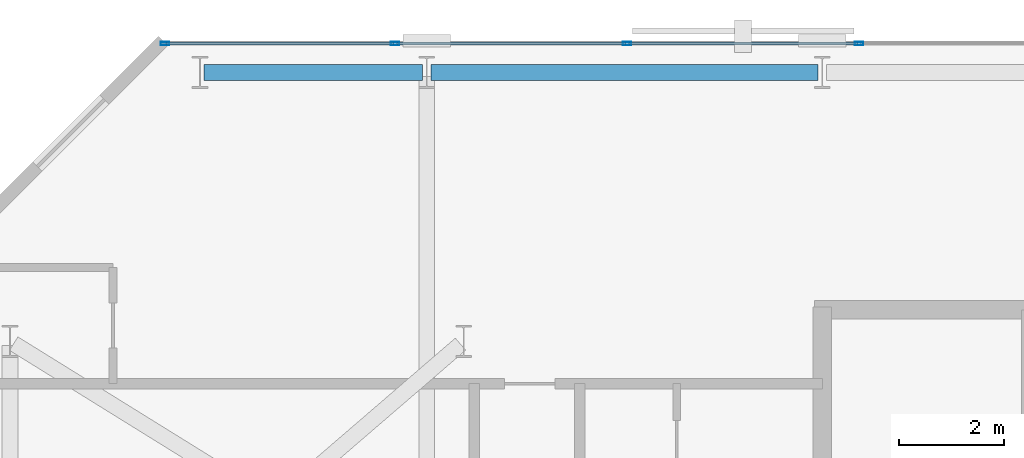
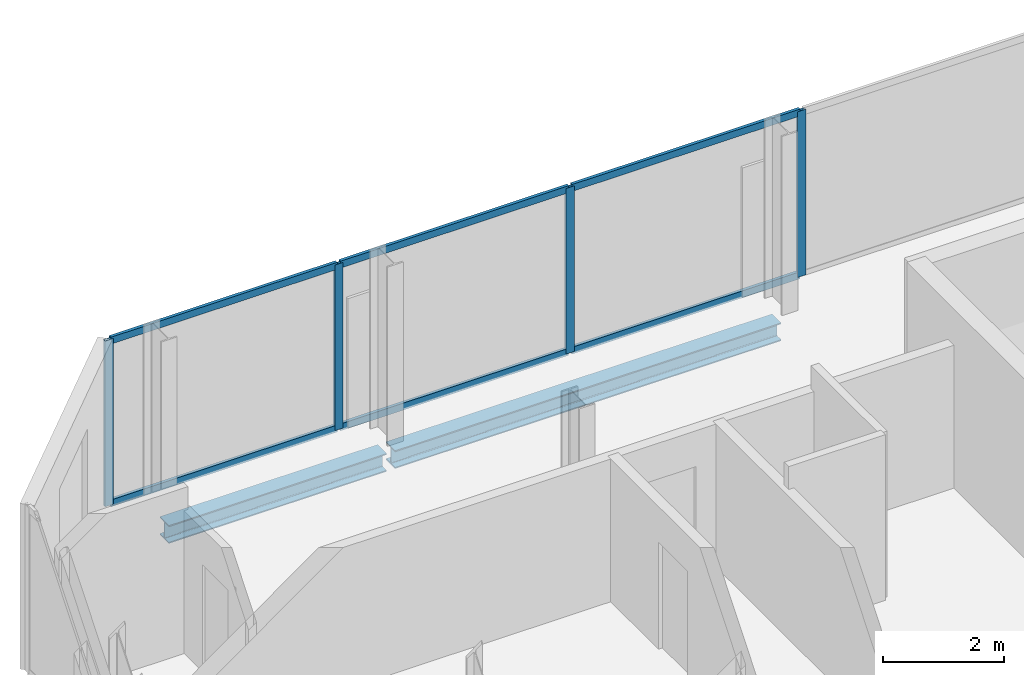
# One storey, part 19 of 33: 10 members, 2 beams, 1 element without a shape of its own.
"""IFC4 building model written with IfcOpenShell, lengths in metres."""

from ifc_helpers import new_model, si_unit, direction, frame, origin, origin_2d, place, context, subcontext, project, spatial, hollow_rectangle, i_section, extrude, material, layer, layer_set, material_profile, profile_set, type_object, element, aggregate, save


model = new_model("IFC4")

# Units and contexts
model_context = context("Model", 3, precision=1e-05, world=origin(), true_north=direction((0.0, 1.0)))
body_context = subcontext(model_context, "Body", "Model", "MODEL_VIEW")
ifc_project = project(units=[si_unit("LENGTHUNIT", "METRE"), si_unit("AREAUNIT", "SQUARE_METRE"), si_unit("VOLUMEUNIT", "CUBIC_METRE"), si_unit("PLANEANGLEUNIT", "RADIAN"), si_unit("MASSUNIT", "GRAM", prefix="KILO")], contexts=[model_context])

# Site, building, storey
site_placement = place(None, origin())
site = spatial("IfcSite", under=ifc_project, at=site_placement, CompositionType="ELEMENT")
building_placement = place(site_placement, origin())
building = spatial("IfcBuilding", under=site, at=building_placement, Name="Catumbela Crestline Tower", CompositionType="ELEMENT")
storey_placement = place(building_placement, frame((0.0, 0.0, 118.8)))
storey = spatial("IfcBuildingStorey", under=building, at=storey_placement, Name="L30", CompositionType="ELEMENT", Elevation=118.8)

# Curtain wall, members
ifc_material_1 = material(Name="Aluminium alloy AW-6060-T66", Category="aluminium")
ifc_layer = layer(ifc_material_1, 0.18, Name="Aluminium alloy AW-6060-T66")
ifc_layer_set = layer_set([ifc_layer], Name="Aluminium alloy AW-6060-T66")
curtain_wall_type = type_object("IfcCurtainWallType", Name="CWU-Z2", PredefinedType="USERDEFINED", material=ifc_layer_set)
curtain_wall_placement = place(storey_placement, origin())
curtain_wall = element("IfcCurtainWall", 1, at=curtain_wall_placement, inside=storey, type_object=curtain_wall_type, Name="L30 Unitised Curtain Wall CW-L30-E7S1", ObjectType="UNITISED", PredefinedType="USERDEFINED")
ifc_material_profile_1 = material_profile(ifc_material_1, hollow_rectangle(XDim=0.06, YDim=0.16, WallThickness=0.004, at=origin_2d()), Name="ALU 160x60x4")
ifc_profile_set_1 = profile_set([ifc_material_profile_1], Name="Aluminium alloy AW-6060-T66")
member_type_1 = type_object("IfcMemberType", Name="MUL-160X60", PredefinedType="MULLION", material=ifc_profile_set_1)
member_1_placement = place(storey_placement, frame((16.7, 47.95, 0.0), z_axis=(0.0, 0.0, 1.0), x_axis=(0.0, -1.0, 0.0)))
member_1 = element("IfcMember", 2, at=member_1_placement, type_object=member_type_1, Name="CWU-Z2 mullion 8", PredefinedType="MULLION", context=body_context, shape_type="SweptSolid", body=[
    extrude(hollow_rectangle(XDim=0.06, YDim=0.16, WallThickness=0.004, at=origin_2d()), origin(), (0.0, 0.0, 1.0), 3.33),
])
member_2_placement = place(storey_placement, frame((12.3, 47.95, 0.0), z_axis=(0.0, 0.0, 1.0), x_axis=(0.0, -1.0, 0.0)))
member_2 = element("IfcMember", 3, at=member_2_placement, type_object=member_type_1, Name="CWU-Z2 mullion 9", PredefinedType="MULLION", context=body_context, shape_type="SweptSolid", body=[
    extrude(hollow_rectangle(XDim=0.06, YDim=0.16, WallThickness=0.004, at=origin_2d()), origin(), (0.0, 0.0, 1.0), 3.33),
])
member_3_placement = place(storey_placement, frame((7.9, 47.95, 0.0), z_axis=(0.0, 0.0, 1.0), x_axis=(0.0, -1.0, 0.0)))
member_3 = element("IfcMember", 4, at=member_3_placement, type_object=member_type_1, Name="CWU-Z2 mullion 10", PredefinedType="MULLION", context=body_context, shape_type="SweptSolid", body=[
    extrude(hollow_rectangle(XDim=0.06, YDim=0.16, WallThickness=0.004, at=origin_2d()), origin(), (0.0, 0.0, 1.0), 3.33),
])
member_4_placement = place(storey_placement, frame((3.5325, 47.95, 0.0), z_axis=(0.0, 0.0, 1.0), x_axis=(0.0, -1.0, 0.0)))
member_4 = element("IfcMember", 5, at=member_4_placement, type_object=member_type_1, Name="CWU-Z2 mullion 11", PredefinedType="MULLION", context=body_context, shape_type="SweptSolid", body=[
    extrude(hollow_rectangle(XDim=0.06, YDim=0.16, WallThickness=0.004, at=origin_2d()), origin(), (0.0, 0.0, 1.0), 3.33),
])

# Beams
ifc_material_2 = material(Name="Structural steel S355J2", Category="steel")
ifc_material_profile_2 = material_profile(ifc_material_2, i_section(OverallWidth=0.3, OverallDepth=0.36, WebThickness=0.0125, FlangeThickness=0.0225, FilletRadius=0.027, at=origin_2d()), Name="HEB 360")
ifc_profile_set_2 = profile_set([ifc_material_profile_2], Name="Structural steel S355J2")
beam_type = type_object("IfcBeamType", Name="BS-HEB360", PredefinedType="SPANDREL", material=ifc_profile_set_2)
beam_1_placement = place(storey_placement, frame((4.28, 47.4, -0.44), z_axis=(1.0, 0.0, 0.0), x_axis=(0.0, 1.0, 0.0)))
element("IfcBeam", 6, at=beam_1_placement, inside=storey, type_object=beam_type, Name="L30 Spandrel SP-L30-NF17", PredefinedType="SPANDREL", context=body_context, shape_type="SweptSolid", body=[
    extrude(i_section(OverallWidth=0.3, OverallDepth=0.36, WebThickness=0.0125, FlangeThickness=0.0225, FilletRadius=0.027, at=origin_2d()), origin(), (0.0, 0.0, 1.0), 4.14),
])
beam_2_placement = place(storey_placement, frame((8.58, 47.4, -0.44), z_axis=(1.0, 0.0, 0.0), x_axis=(0.0, 1.0, 0.0)))
element("IfcBeam", 7, at=beam_2_placement, inside=storey, type_object=beam_type, Name="L30 Spandrel SP-L30-NF18", PredefinedType="SPANDREL", context=body_context, shape_type="SweptSolid", body=[
    extrude(i_section(OverallWidth=0.3, OverallDepth=0.36, WebThickness=0.0125, FlangeThickness=0.0225, FilletRadius=0.027, at=origin_2d()), origin(), (0.0, 0.0, 1.0), 7.34),
])

# Member
ifc_material_profile_3 = material_profile(ifc_material_1, hollow_rectangle(XDim=0.06, YDim=0.14, WallThickness=0.004, at=origin_2d()), Name="ALU 140x60x4")
ifc_profile_set_3 = profile_set([ifc_material_profile_3], Name="Aluminium alloy AW-6060-T66")
member_type_2 = type_object("IfcMemberType", Name="TRN-140X60", PredefinedType="USERDEFINED", material=ifc_profile_set_3)
member_5_placement = place(storey_placement, frame((16.6675, 47.95, 0.03), z_axis=(-1.0, 0.0, 0.0), x_axis=(0.0, -1.0, 0.0)))
member_5 = element("IfcMember", 8, at=member_5_placement, type_object=member_type_2, Name="CWU-Z2 transom 8.1", ObjectType="TRANSOM", PredefinedType="USERDEFINED", context=body_context, shape_type="SweptSolid", body=[
    extrude(hollow_rectangle(XDim=0.06, YDim=0.14, WallThickness=0.004, at=origin_2d()), origin(), (0.0, 0.0, 1.0), 4.335),
])

member_6_placement = place(storey_placement, frame((16.6675, 47.95, 3.3), z_axis=(-1.0, 0.0, 0.0), x_axis=(0.0, -1.0, 0.0)))
member_6 = element("IfcMember", 9, at=member_6_placement, type_object=member_type_2, Name="CWU-Z2 transom 8.2", ObjectType="TRANSOM", PredefinedType="USERDEFINED", context=body_context, shape_type="SweptSolid", body=[
    extrude(hollow_rectangle(XDim=0.06, YDim=0.14, WallThickness=0.004, at=origin_2d()), origin(), (0.0, 0.0, 1.0), 4.335),
])

member_7_placement = place(storey_placement, frame((12.2675, 47.95, 0.03), z_axis=(-1.0, 0.0, 0.0), x_axis=(0.0, -1.0, 0.0)))
member_7 = element("IfcMember", 10, at=member_7_placement, type_object=member_type_2, Name="CWU-Z2 transom 9.1", ObjectType="TRANSOM", PredefinedType="USERDEFINED", context=body_context, shape_type="SweptSolid", body=[
    extrude(hollow_rectangle(XDim=0.06, YDim=0.14, WallThickness=0.004, at=origin_2d()), origin(), (0.0, 0.0, 1.0), 4.335),
])

member_8_placement = place(storey_placement, frame((12.2675, 47.95, 3.3), z_axis=(-1.0, 0.0, 0.0), x_axis=(0.0, -1.0, 0.0)))
member_8 = element("IfcMember", 11, at=member_8_placement, type_object=member_type_2, Name="CWU-Z2 transom 9.2", ObjectType="TRANSOM", PredefinedType="USERDEFINED", context=body_context, shape_type="SweptSolid", body=[
    extrude(hollow_rectangle(XDim=0.06, YDim=0.14, WallThickness=0.004, at=origin_2d()), origin(), (0.0, 0.0, 1.0), 4.335),
])

member_9_placement = place(storey_placement, frame((7.8675, 47.95, 0.03), z_axis=(-1.0, 0.0, 0.0), x_axis=(0.0, -1.0, 0.0)))
member_9 = element("IfcMember", 12, at=member_9_placement, type_object=member_type_2, Name="CWU-Z2 transom 10.1", ObjectType="TRANSOM", PredefinedType="USERDEFINED", context=body_context, shape_type="SweptSolid", body=[
    extrude(hollow_rectangle(XDim=0.06, YDim=0.14, WallThickness=0.004, at=origin_2d()), origin(), (0.0, 0.0, 1.0), 4.3025),
])

member_10_placement = place(storey_placement, frame((7.8675, 47.95, 3.3), z_axis=(-1.0, 0.0, 0.0), x_axis=(0.0, -1.0, 0.0)))
member_10 = element("IfcMember", 13, at=member_10_placement, type_object=member_type_2, Name="CWU-Z2 transom 10.2", ObjectType="TRANSOM", PredefinedType="USERDEFINED", context=body_context, shape_type="SweptSolid", body=[
    extrude(hollow_rectangle(XDim=0.06, YDim=0.14, WallThickness=0.004, at=origin_2d()), origin(), (0.0, 0.0, 1.0), 4.3025),
])

aggregate(curtain_wall, [member_1, member_2, member_3, member_4, member_5, member_6, member_7, member_8, member_9, member_10])

save(model, "model.ifc")
